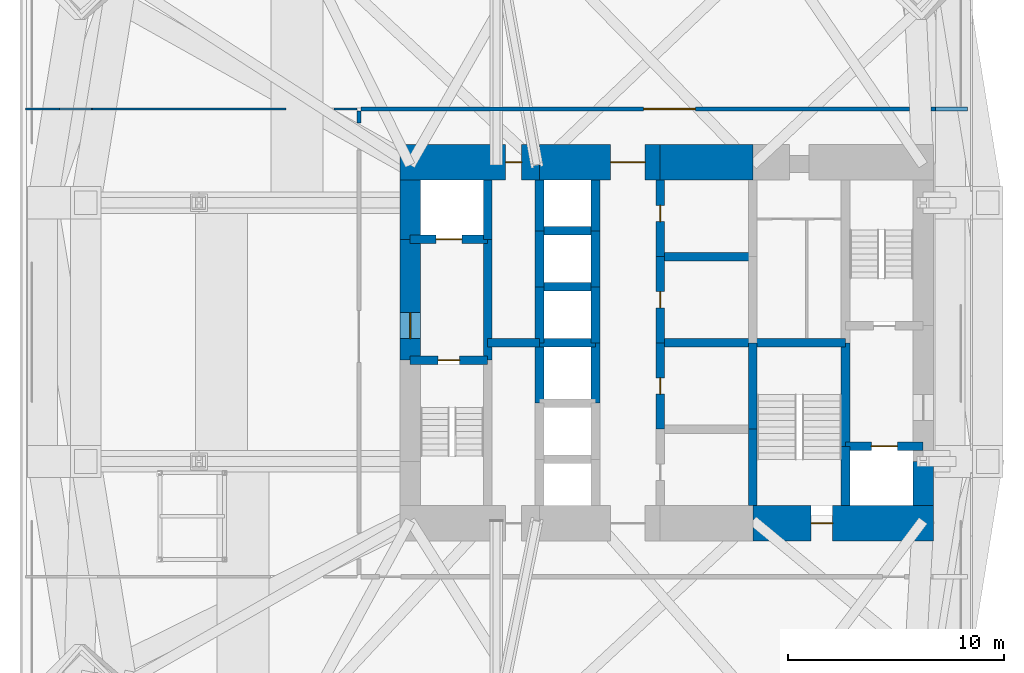
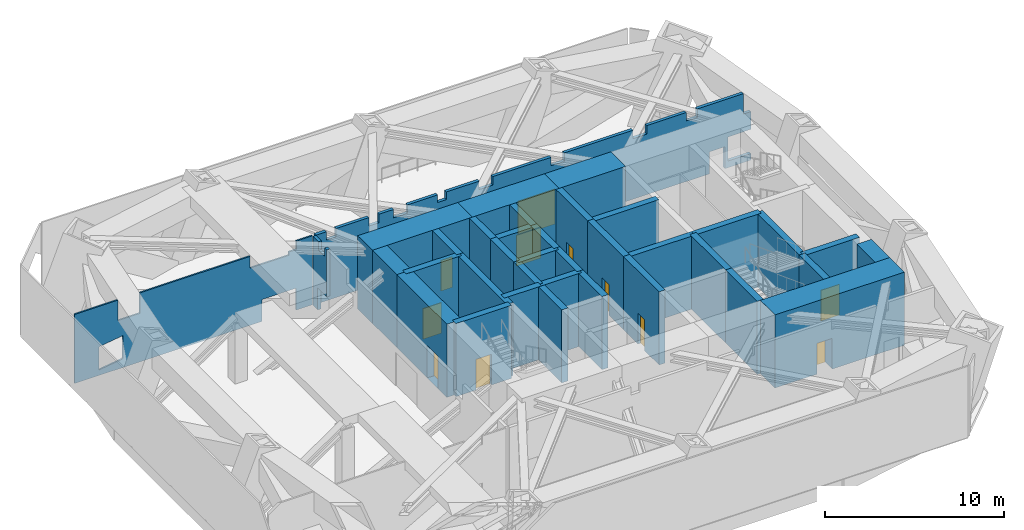
# One storey, part 5 of 8: 37 walls, 11 doors, 11 openings.
"""IFC4 building model written with IfcOpenShell, lengths in metres."""

from ifc_helpers import new_model, si_unit, direction, frame, frame_2d, origin, place, context, subcontext, project, spatial, polyline, rectangle, outline, extrude, material, layer, layer_set, constituent, constituent_set, type_object, element, fill, save


model = new_model("IFC4")

# Units and contexts
model_context = context("Model", 3, precision=1e-05, world=origin(), true_north=direction((0.0, 1.0)))
body_context = subcontext(model_context, "Body", "Model", "MODEL_VIEW")
ifc_project = project(units=[si_unit("LENGTHUNIT", "METRE"), si_unit("AREAUNIT", "SQUARE_METRE"), si_unit("VOLUMEUNIT", "CUBIC_METRE"), si_unit("PLANEANGLEUNIT", "RADIAN"), si_unit("MASSUNIT", "GRAM", prefix="KILO")], contexts=[model_context])

# Site, building, storey
site_placement = place(None, origin())
site = spatial("IfcSite", under=ifc_project, at=site_placement, CompositionType="ELEMENT")
building_placement = place(site_placement, origin())
building = spatial("IfcBuilding", under=site, at=building_placement, Name="Jalousie Tower", CompositionType="ELEMENT")
storey_placement = place(building_placement, frame((0.0, 0.0, 74.75)))
storey = spatial("IfcBuildingStorey", under=building, at=storey_placement, Name="L20", CompositionType="ELEMENT", Elevation=74.75)

# Wall, opening, door
ifc_material_1 = material(Name="Concrete f'c 120 MPa", Category="concrete")
ifc_layer_1 = layer(ifc_material_1, 1.64990234375)
ifc_layer_set_1 = layer_set([ifc_layer_1], Name="Concrete f'c 120 MPa")
wall_type_1 = type_object("IfcWallType", Name="CORE WALL 1650", PredefinedType="SHEAR", material=ifc_layer_set_1)
wall_1_placement = place(storey_placement, frame((35.89990234375, 10.125, 0.0), z_axis=(0.0, 0.0, 1.0), x_axis=(1.0, 0.0, 0.0)))
wall_1 = element("IfcWall", 1, at=wall_1_placement, inside=storey, type_object=wall_type_1, Name="Core wall SD L20", PredefinedType="SHEAR", context=body_context, shape_type="SweptSolid", body=[
    extrude(rectangle(XDim=8.375, YDim=1.64990234375, at=frame_2d((4.1875, 0.0))), origin(), (0.0, 0.0, 1.0), 5.0),
])
opening_1_placement = place(wall_1_placement, frame((2.699951171875, 0.0, 0.0)))
opening_1 = element("IfcOpeningElement", 2, at=opening_1_placement, cuts=wall_1, Name="Opening D10", PredefinedType="OPENING", context=body_context, shape_type="SweptSolid", body=[
    extrude(rectangle(XDim=1.0, YDim=2.10009765625, at=frame_2d((0.5, 1.050048828125))), frame((0.0, 0.8349609375, 0.0), z_axis=(0.0, -1.0, 0.0), x_axis=(1.0, 0.0, 0.0)), (0.0, 0.0, 1.0), 1.669921875),
])
ifc_material_2 = material(Name="Steel fire door", Category="steel")
door_type_1 = type_object("IfcDoorType", Name="STAIR DOOR 1000", OperationType="SINGLE_SWING_LEFT", PredefinedType="DOOR", material=ifc_material_2)
door_1_placement = place(opening_1_placement, origin())
door_1 = element("IfcDoor", 3, at=door_1_placement, inside=storey, type_object=door_type_1, Name="Exit stair C door", OperationType="SINGLE_SWING_RIGHT", OverallHeight=2.10009765625, OverallWidth=1.0, PredefinedType="DOOR", context=body_context, shape_type="SweptSolid", body=[
    extrude(rectangle(XDim=1.0, YDim=2.10009765625, at=frame_2d((0.5, 1.050048828125))), frame((0.0, 0.02490234375, 0.0), z_axis=(0.0, -1.0, 0.0), x_axis=(1.0, 0.0, 0.0)), (0.0, 0.0, 1.0), 0.050048828125),
])
fill(opening_1, door_1)

# Wall
wall_2_placement = place(storey_placement, frame((35.89990234375, 26.875, 0.0), z_axis=(0.0, 0.0, 1.0), x_axis=(-1.0, 0.0, 0.0)))
element("IfcWall", 4, at=wall_2_placement, inside=storey, type_object=wall_type_1, Name="Core wall NB L20", PredefinedType="SHEAR", context=body_context, shape_type="SweptSolid", body=[
    extrude(rectangle(XDim=4.2998046875, YDim=1.64990234375, at=frame_2d((2.14990234375, 0.0))), origin(), (0.0, 0.0, 1.0), 5.0),
])

# Wall, opening, door
wall_3_placement = place(storey_placement, frame((31.60009765625, 26.875, 0.0), z_axis=(0.0, 0.0, 1.0), x_axis=(-1.0, 0.0, 0.0)))
wall_3 = element("IfcWall", 5, at=wall_3_placement, inside=storey, type_object=wall_type_1, Name="Core wall NC L20", PredefinedType="SHEAR", context=body_context, shape_type="SweptSolid", body=[
    extrude(rectangle(XDim=5.60009765625, YDim=1.64990234375, at=frame_2d((2.800048828125, 0.0))), origin(), (0.0, 0.0, 1.0), 5.0),
])
opening_2_placement = place(wall_3_placement, frame((0.699951171875, 0.0, 0.0)))
opening_2 = element("IfcOpeningElement", 6, at=opening_2_placement, cuts=wall_3, Name="Opening D15", PredefinedType="OPENING", context=body_context, shape_type="SweptSolid", body=[
    extrude(rectangle(XDim=1.60009765625, YDim=2.10009765625, at=frame_2d((0.800048828125, 1.050048828125))), frame((0.0, 0.8349609375, 0.0), z_axis=(0.0, -1.0, 0.0), x_axis=(1.0, 0.0, 0.0)), (0.0, 0.0, 1.0), 1.669921875),
])
ifc_material_3 = material(Name="Steel fire door", Category="steel")
door_type_2 = type_object("IfcDoorType", Name="LIFT LOBBY DOOR 1600", OperationType="DOUBLE_DOOR_SINGLE_SWING", PredefinedType="DOOR", material=ifc_material_3)
door_2_placement = place(opening_2_placement, origin())
door_2 = element("IfcDoor", 7, at=door_2_placement, inside=storey, type_object=door_type_2, Name="Lift lobby north door", OperationType="DOUBLE_DOOR_SINGLE_SWING", OverallHeight=2.10009765625, OverallWidth=1.60009765625, PredefinedType="DOOR", context=body_context, shape_type="SweptSolid", body=[
    extrude(rectangle(XDim=1.60009765625, YDim=2.10009765625, at=frame_2d((0.800048828125, 1.050048828125))), frame((0.0, 0.02490234375, 0.0), z_axis=(0.0, -1.0, 0.0), x_axis=(1.0, 0.0, 0.0)), (0.0, 0.0, 1.0), 0.050048828125),
])
fill(opening_2, door_2)

wall_4_placement = place(storey_placement, frame((26.0, 26.875, 0.0), z_axis=(0.0, 0.0, 1.0), x_axis=(-1.0, 0.0, 0.0)))
wall_4 = element("IfcWall", 8, at=wall_4_placement, inside=storey, type_object=wall_type_1, Name="Core wall ND L20", PredefinedType="SHEAR", context=body_context, shape_type="SweptSolid", body=[
    extrude(rectangle(XDim=6.47509765625, YDim=1.64990234375, at=frame_2d((3.237548828125, 0.0))), origin(), (0.0, 0.0, 1.0), 5.0),
])
opening_3_placement = place(wall_4_placement, frame((0.824951171875, 0.0, 0.0)))
opening_3 = element("IfcOpeningElement", 9, at=opening_3_placement, cuts=wall_4, Name="Opening D16", PredefinedType="OPENING", context=body_context, shape_type="SweptSolid", body=[
    extrude(rectangle(XDim=0.75, YDim=2.10009765625, at=frame_2d((0.375, 1.050048828125))), frame((0.0, 0.8349609375, 0.0), z_axis=(0.0, -1.0, 0.0), x_axis=(1.0, 0.0, 0.0)), (0.0, 0.0, 1.0), 1.669921875),
])
ifc_material_4 = material(Name="Steel fire door", Category="steel")
door_type_3 = type_object("IfcDoorType", Name="RISER DOOR 750", OperationType="SINGLE_SWING_LEFT", PredefinedType="DOOR", material=ifc_material_4)
door_3_placement = place(opening_3_placement, origin())
door_3 = element("IfcDoor", 10, at=door_3_placement, inside=storey, type_object=door_type_3, Name="North riser door", OperationType="SINGLE_SWING_RIGHT", OverallHeight=2.10009765625, OverallWidth=0.75, PredefinedType="DOOR", context=body_context, shape_type="SweptSolid", body=[
    extrude(rectangle(XDim=0.75, YDim=2.10009765625, at=frame_2d((0.375, 1.050048828125))), frame((0.0, 0.02490234375, 0.0), z_axis=(0.0, -1.0, 0.0), x_axis=(1.0, 0.0, 0.0)), (0.0, 0.0, 1.0), 0.050048828125),
])
fill(opening_3, door_3)

# Walls
ifc_material_5 = material(Name="Concrete f'c 120 MPa", Category="concrete")
ifc_layer_2 = layer(ifc_material_5, 0.39990234375)
ifc_layer_set_2 = layer_set([ifc_layer_2], Name="Concrete f'c 120 MPa")
wall_type_2 = type_object("IfcWallType", Name="CORE WALL 400", PredefinedType="SHEAR", material=ifc_layer_set_2)
wall_5_placement = place(storey_placement, frame((23.60009765625, 17.699951171875, 0.0), z_axis=(0.0, 0.0, 1.0), x_axis=(0.0, 1.0, 0.0)))
element("IfcWall", 11, at=wall_5_placement, inside=storey, type_object=wall_type_2, Name="Core wall X23.6B L20", PredefinedType="SHEAR", context=body_context, shape_type="SweptSolid", body=[
    extrude(rectangle(XDim=5.60009765625, YDim=0.39990234375, at=frame_2d((2.800048828125, 0.0))), origin(), (0.0, 0.0, 1.0), 5.0),
])
wall_6_placement = place(storey_placement, frame((23.60009765625, 23.300048828125, 0.0), z_axis=(0.0, 0.0, 1.0), x_axis=(0.0, 1.0, 0.0)))
element("IfcWall", 12, at=wall_6_placement, inside=storey, type_object=wall_type_2, Name="Core wall X23.6C L20", PredefinedType="SHEAR", context=body_context, shape_type="SweptSolid", body=[
    extrude(rectangle(XDim=2.75, YDim=0.39990234375, at=frame_2d((1.375, 0.0))), origin(), (0.0, 0.0, 1.0), 5.0),
])
wall_7_placement = place(storey_placement, frame((26.0, 15.699951171875, 0.0), z_axis=(0.0, 0.0, 1.0), x_axis=(0.0, 1.0, 0.0)))
element("IfcWall", 13, at=wall_7_placement, inside=storey, type_object=wall_type_2, Name="Core wall X26C L20", PredefinedType="SHEAR", context=body_context, shape_type="SweptSolid", body=[
    extrude(rectangle(XDim=2.800048828125, YDim=0.39990234375, at=frame_2d((1.39990234375, 0.0))), origin(), (0.0, 0.0, 1.0), 5.0),
])
wall_8_placement = place(storey_placement, frame((26.0, 18.5, 0.0), z_axis=(0.0, 0.0, 1.0), x_axis=(0.0, 1.0, 0.0)))
element("IfcWall", 14, at=wall_8_placement, inside=storey, type_object=wall_type_2, Name="Core wall X26D L20", PredefinedType="SHEAR", context=body_context, shape_type="SweptSolid", body=[
    extrude(rectangle(XDim=2.60009765625, YDim=0.39990234375, at=frame_2d((1.300048828125, 0.0))), origin(), (0.0, 0.0, 1.0), 5.0),
])
wall_9_placement = place(storey_placement, frame((26.0, 21.10009765625, 0.0), z_axis=(0.0, 0.0, 1.0), x_axis=(0.0, 1.0, 0.0)))
element("IfcWall", 15, at=wall_9_placement, inside=storey, type_object=wall_type_2, Name="Core wall X26E L20", PredefinedType="SHEAR", context=body_context, shape_type="SweptSolid", body=[
    extrude(rectangle(XDim=2.599853515625, YDim=0.39990234375, at=frame_2d((1.2998046875, 0.0))), origin(), (0.0, 0.0, 1.0), 5.0),
])
wall_10_placement = place(storey_placement, frame((26.0, 23.699951171875, 0.0), z_axis=(0.0, 0.0, 1.0), x_axis=(0.0, 1.0, 0.0)))
element("IfcWall", 16, at=wall_10_placement, inside=storey, type_object=wall_type_2, Name="Core wall X26F L20", PredefinedType="SHEAR", context=body_context, shape_type="SweptSolid", body=[
    extrude(rectangle(XDim=2.35009765625, YDim=0.39990234375, at=frame_2d((1.175048828125, 0.0))), origin(), (0.0, 0.0, 1.0), 5.0),
])
wall_11_placement = place(storey_placement, frame((28.60009765625, 15.699951171875, 0.0), z_axis=(0.0, 0.0, 1.0), x_axis=(0.0, 1.0, 0.0)))
element("IfcWall", 17, at=wall_11_placement, inside=storey, type_object=wall_type_2, Name="Core wall X28.6C L20", PredefinedType="SHEAR", context=body_context, shape_type="SweptSolid", body=[
    extrude(rectangle(XDim=2.800048828125, YDim=0.39990234375, at=frame_2d((1.39990234375, 0.0))), origin(), (0.0, 0.0, 1.0), 5.0),
])
wall_12_placement = place(storey_placement, frame((28.60009765625, 18.5, 0.0), z_axis=(0.0, 0.0, 1.0), x_axis=(0.0, 1.0, 0.0)))
element("IfcWall", 18, at=wall_12_placement, inside=storey, type_object=wall_type_2, Name="Core wall X28.6D L20", PredefinedType="SHEAR", context=body_context, shape_type="SweptSolid", body=[
    extrude(rectangle(XDim=2.60009765625, YDim=0.39990234375, at=frame_2d((1.300048828125, 0.0))), origin(), (0.0, 0.0, 1.0), 5.0),
])
wall_13_placement = place(storey_placement, frame((28.60009765625, 21.10009765625, 0.0), z_axis=(0.0, 0.0, 1.0), x_axis=(0.0, 1.0, 0.0)))
element("IfcWall", 19, at=wall_13_placement, inside=storey, type_object=wall_type_2, Name="Core wall X28.6E L20", PredefinedType="SHEAR", context=body_context, shape_type="SweptSolid", body=[
    extrude(rectangle(XDim=2.599853515625, YDim=0.39990234375, at=frame_2d((1.2998046875, 0.0))), origin(), (0.0, 0.0, 1.0), 5.0),
])
wall_14_placement = place(storey_placement, frame((28.60009765625, 23.699951171875, 0.0), z_axis=(0.0, 0.0, 1.0), x_axis=(0.0, 1.0, 0.0)))
element("IfcWall", 20, at=wall_14_placement, inside=storey, type_object=wall_type_2, Name="Core wall X28.6F L20", PredefinedType="SHEAR", context=body_context, shape_type="SweptSolid", body=[
    extrude(rectangle(XDim=2.35009765625, YDim=0.39990234375, at=frame_2d((1.175048828125, 0.0))), origin(), (0.0, 0.0, 1.0), 5.0),
])

# Wall, opening, door
wall_15_placement = place(storey_placement, frame((31.60009765625, 14.5, 0.0), z_axis=(0.0, 0.0, 1.0), x_axis=(0.0, 1.0, 0.0)))
wall_15 = element("IfcWall", 21, at=wall_15_placement, inside=storey, type_object=wall_type_2, Name="Core wall X31.6B L20", PredefinedType="SHEAR", context=body_context, shape_type="SweptSolid", body=[
    extrude(rectangle(XDim=4.0, YDim=0.39990234375, at=frame_2d((2.0, 0.0))), origin(), (0.0, 0.0, 1.0), 5.0),
])
opening_4_placement = place(wall_15_placement, frame((1.625, 0.0, 0.0)))
opening_4 = element("IfcOpeningElement", 22, at=opening_4_placement, cuts=wall_15, Name="Opening D16", PredefinedType="OPENING", context=body_context, shape_type="SweptSolid", body=[
    extrude(rectangle(XDim=0.75, YDim=2.10009765625, at=frame_2d((0.375, 1.050048828125))), frame((0.0, 0.2099609375, 0.0), z_axis=(0.0, -1.0, 0.0), x_axis=(1.0, 0.0, 0.0)), (0.0, 0.0, 1.0), 0.419921875),
])
door_4_placement = place(opening_4_placement, frame((0.75, 0.0, 0.0), z_axis=(0.0, 0.0, 1.0), x_axis=(-1.0, 0.0, 0.0)))
door_4 = element("IfcDoor", 23, at=door_4_placement, inside=storey, type_object=door_type_3, Name="Electrical Room door", OperationType="SINGLE_SWING_LEFT", OverallHeight=2.10009765625, OverallWidth=0.75, PredefinedType="DOOR", context=body_context, shape_type="SweptSolid", body=[
    extrude(rectangle(XDim=0.75, YDim=2.10009765625, at=frame_2d((0.375, 1.050048828125))), frame((0.0, 0.02490234375, 0.0), z_axis=(0.0, -1.0, 0.0), x_axis=(1.0, 0.0, 0.0)), (0.0, 0.0, 1.0), 0.050048828125),
])
fill(opening_4, door_4)

wall_16_placement = place(storey_placement, frame((31.60009765625, 18.5, 0.0), z_axis=(0.0, 0.0, 1.0), x_axis=(0.0, 1.0, 0.0)))
wall_16 = element("IfcWall", 24, at=wall_16_placement, inside=storey, type_object=wall_type_2, Name="Core wall X31.6C L20", PredefinedType="SHEAR", context=body_context, shape_type="SweptSolid", body=[
    extrude(rectangle(XDim=4.0, YDim=0.39990234375, at=frame_2d((2.0, 0.0))), origin(), (0.0, 0.0, 1.0), 5.0),
])
opening_5_placement = place(wall_16_placement, frame((1.625, 0.0, 0.0)))
opening_5 = element("IfcOpeningElement", 25, at=opening_5_placement, cuts=wall_16, Name="Opening D16", PredefinedType="OPENING", context=body_context, shape_type="SweptSolid", body=[
    extrude(rectangle(XDim=0.75, YDim=2.10009765625, at=frame_2d((0.375, 1.050048828125))), frame((0.0, 0.2099609375, 0.0), z_axis=(0.0, -1.0, 0.0), x_axis=(1.0, 0.0, 0.0)), (0.0, 0.0, 1.0), 0.419921875),
])
door_5_placement = place(opening_5_placement, frame((0.75, 0.0, 0.0), z_axis=(0.0, 0.0, 1.0), x_axis=(-1.0, 0.0, 0.0)))
door_5 = element("IfcDoor", 26, at=door_5_placement, inside=storey, type_object=door_type_3, Name="Telecom Room door", OperationType="SINGLE_SWING_LEFT", OverallHeight=2.10009765625, OverallWidth=0.75, PredefinedType="DOOR", context=body_context, shape_type="SweptSolid", body=[
    extrude(rectangle(XDim=0.75, YDim=2.10009765625, at=frame_2d((0.375, 1.050048828125))), frame((0.0, 0.02490234375, 0.0), z_axis=(0.0, -1.0, 0.0), x_axis=(1.0, 0.0, 0.0)), (0.0, 0.0, 1.0), 0.050048828125),
])
fill(opening_5, door_5)

wall_17_placement = place(storey_placement, frame((31.60009765625, 22.5, 0.0), z_axis=(0.0, 0.0, 1.0), x_axis=(0.0, 1.0, 0.0)))
wall_17 = element("IfcWall", 27, at=wall_17_placement, inside=storey, type_object=wall_type_2, Name="Core wall X31.6D L20", PredefinedType="SHEAR", context=body_context, shape_type="SweptSolid", body=[
    extrude(rectangle(XDim=3.550048828125, YDim=0.39990234375, at=frame_2d((1.77490234375, 0.0))), origin(), (0.0, 0.0, 1.0), 5.0),
])
opening_6_placement = place(wall_17_placement, frame((1.625, 0.0, 0.0)))
opening_6 = element("IfcOpeningElement", 28, at=opening_6_placement, cuts=wall_17, Name="Opening D16", PredefinedType="OPENING", context=body_context, shape_type="SweptSolid", body=[
    extrude(rectangle(XDim=0.75, YDim=2.10009765625, at=frame_2d((0.375, 1.050048828125))), frame((0.0, 0.2099609375, 0.0), z_axis=(0.0, -1.0, 0.0), x_axis=(1.0, 0.0, 0.0)), (0.0, 0.0, 1.0), 0.419921875),
])
door_6_placement = place(opening_6_placement, frame((0.75, 0.0, 0.0), z_axis=(0.0, 0.0, 1.0), x_axis=(-1.0, 0.0, 0.0)))
door_6 = element("IfcDoor", 29, at=door_6_placement, inside=storey, type_object=door_type_3, Name="Water Services Room door", OperationType="SINGLE_SWING_LEFT", OverallHeight=2.10009765625, OverallWidth=0.75, PredefinedType="DOOR", context=body_context, shape_type="SweptSolid", body=[
    extrude(rectangle(XDim=0.75, YDim=2.10009765625, at=frame_2d((0.375, 1.050048828125))), frame((0.0, 0.02490234375, 0.0), z_axis=(0.0, -1.0, 0.0), x_axis=(1.0, 0.0, 0.0)), (0.0, 0.0, 1.0), 0.050048828125),
])
fill(opening_6, door_6)

# Walls
wall_18_placement = place(storey_placement, frame((35.89990234375, 10.949951171875, 0.0), z_axis=(0.0, 0.0, 1.0), x_axis=(0.0, 1.0, 0.0)))
element("IfcWall", 30, at=wall_18_placement, inside=storey, type_object=wall_type_2, Name="Core wall X35.9A L20", PredefinedType="SHEAR", context=body_context, shape_type="SweptSolid", body=[
    extrude(rectangle(XDim=3.550048828125, YDim=0.39990234375, at=frame_2d((1.77490234375, 0.0))), origin(), (0.0, 0.0, 1.0), 5.0),
])
wall_19_placement = place(storey_placement, frame((35.89990234375, 14.5, 0.0), z_axis=(0.0, 0.0, 1.0), x_axis=(0.0, 1.0, 0.0)))
element("IfcWall", 31, at=wall_19_placement, inside=storey, type_object=wall_type_2, Name="Core wall X35.9B L20", PredefinedType="SHEAR", context=body_context, shape_type="SweptSolid", body=[
    extrude(rectangle(XDim=4.0, YDim=0.39990234375, at=frame_2d((2.0, 0.0))), origin(), (0.0, 0.0, 1.0), 5.0),
])
wall_20_placement = place(storey_placement, frame((40.199951171875, 10.949951171875, 0.0), z_axis=(0.0, 0.0, 1.0), x_axis=(0.0, 1.0, 0.0)))
element("IfcWall", 32, at=wall_20_placement, inside=storey, type_object=wall_type_2, Name="Core wall X40.2A L20", PredefinedType="SHEAR", context=body_context, shape_type="SweptSolid", body=[
    extrude(rectangle(XDim=2.75, YDim=0.39990234375, at=frame_2d((1.375, 0.0))), origin(), (0.0, 0.0, 1.0), 5.0),
])
wall_21_placement = place(storey_placement, frame((40.199951171875, 13.699951171875, 0.0), z_axis=(0.0, 0.0, 1.0), x_axis=(0.0, 1.0, 0.0)))
element("IfcWall", 33, at=wall_21_placement, inside=storey, type_object=wall_type_2, Name="Core wall X40.2B L20", PredefinedType="SHEAR", context=body_context, shape_type="SweptSolid", body=[
    extrude(rectangle(XDim=4.800048828125, YDim=0.39990234375, at=frame_2d((2.39990234375, 0.0))), origin(), (0.0, 0.0, 1.0), 5.0),
])

# Wall, opening, door
wall_22_placement = place(storey_placement, frame((20.0, 17.699951171875, 0.0), z_axis=(0.0, 0.0, 1.0), x_axis=(1.0, 0.0, 0.0)))
wall_22 = element("IfcWall", 34, at=wall_22_placement, inside=storey, type_object=wall_type_2, Name="Core wall Y20-17.7 L20", PredefinedType="SHEAR", context=body_context, shape_type="SweptSolid", body=[
    extrude(rectangle(XDim=3.60009765625, YDim=0.39990234375, at=frame_2d((1.800048828125, 0.0))), origin(), (0.0, 0.0, 1.0), 5.0),
])
opening_7_placement = place(wall_22_placement, frame((1.300048828125, 0.0, 0.0)))
opening_7 = element("IfcOpeningElement", 35, at=opening_7_placement, cuts=wall_22, Name="Opening D10", PredefinedType="OPENING", context=body_context, shape_type="SweptSolid", body=[
    extrude(rectangle(XDim=1.0, YDim=2.10009765625, at=frame_2d((0.5, 1.050048828125))), frame((0.0, 0.2099609375, 0.0), z_axis=(0.0, -1.0, 0.0), x_axis=(1.0, 0.0, 0.0)), (0.0, 0.0, 1.0), 0.419921875),
])
door_7_placement = place(opening_7_placement, frame((1.0, 0.0, 0.0), z_axis=(0.0, 0.0, 1.0), x_axis=(-1.0, 0.0, 0.0)))
door_7 = element("IfcDoor", 36, at=door_7_placement, inside=storey, type_object=door_type_1, Name="Exit stair A door", OperationType="SINGLE_SWING_RIGHT", OverallHeight=2.10009765625, OverallWidth=1.0, PredefinedType="DOOR", context=body_context, shape_type="SweptSolid", body=[
    extrude(rectangle(XDim=1.0, YDim=2.10009765625, at=frame_2d((0.5, 1.050048828125))), frame((0.0, 0.02490234375, 0.0), z_axis=(0.0, -1.0, 0.0), x_axis=(1.0, 0.0, 0.0)), (0.0, 0.0, 1.0), 0.050048828125),
])
fill(opening_7, door_7)

wall_23_placement = place(storey_placement, frame((20.0, 23.300048828125, 0.0), z_axis=(0.0, 0.0, 1.0), x_axis=(1.0, 0.0, 0.0)))
wall_23 = element("IfcWall", 37, at=wall_23_placement, inside=storey, type_object=wall_type_2, Name="Core wall Y20-23.3 L20", PredefinedType="SHEAR", context=body_context, shape_type="SweptSolid", body=[
    extrude(rectangle(XDim=3.60009765625, YDim=0.39990234375, at=frame_2d((1.800048828125, 0.0))), origin(), (0.0, 0.0, 1.0), 5.0),
])
opening_8_placement = place(wall_23_placement, frame((1.199951171875, 0.0, 0.0)))
opening_8 = element("IfcOpeningElement", 38, at=opening_8_placement, cuts=wall_23, Name="Opening LD2", PredefinedType="OPENING", context=body_context, shape_type="SweptSolid", body=[
    extrude(rectangle(XDim=1.199951171875, YDim=2.10009765625, at=frame_2d((0.60009765625, 1.050048828125))), frame((0.0, 0.2099609375, 0.0), z_axis=(0.0, -1.0, 0.0), x_axis=(1.0, 0.0, 0.0)), (0.0, 0.0, 1.0), 0.419921875),
])
ifc_material_6 = material(Name="Steel lift landing door", Category="steel")
door_type_4 = type_object("IfcDoorType", Name="LIFT LANDING DOOR 1200", OperationType="SLIDING_TO_LEFT", PredefinedType="DOOR", material=ifc_material_6)
door_8_placement = place(opening_8_placement, origin())
door_8 = element("IfcDoor", 39, at=door_8_placement, inside=storey, type_object=door_type_4, Name="Lift F1 landing door", OperationType="SLIDING_TO_LEFT", OverallHeight=2.10009765625, OverallWidth=1.199951171875, PredefinedType="DOOR", context=body_context, shape_type="SweptSolid", body=[
    extrude(rectangle(XDim=1.199951171875, YDim=2.10009765625, at=frame_2d((0.60009765625, 1.050048828125))), frame((0.0, 0.02490234375, 0.0), z_axis=(0.0, -1.0, 0.0), x_axis=(1.0, 0.0, 0.0)), (0.0, 0.0, 1.0), 0.050048828125),
])
fill(opening_8, door_8)

# Walls
wall_24_placement = place(storey_placement, frame((23.60009765625, 18.5, 0.0), z_axis=(0.0, 0.0, 1.0), x_axis=(1.0, 0.0, 0.0)))
element("IfcWall", 40, at=wall_24_placement, inside=storey, type_object=wall_type_2, Name="Core wall Y23.6-18.5 L20", PredefinedType="SHEAR", context=body_context, shape_type="SweptSolid", body=[
    extrude(rectangle(XDim=2.39990234375, YDim=0.39990234375, at=frame_2d((1.199951171875, 0.0))), origin(), (0.0, 0.0, 1.0), 5.0),
])
for number, where, z_axis, x_axis, name in (
    (41, (26.0, 18.5, 0.0), (0.0, 0.0, 1.0), (1.0, 0.0, 0.0), "Core wall Y26-18.5 L20"),
    (42, (26.0, 21.10009765625, 0.0), (0.0, 0.0, 1.0), (1.0, 0.0, 0.0), "Core wall Y26-21.1 L20"),
    (43, (26.0, 23.699951171875, 0.0), (0.0, 0.0, 1.0), (1.0, 0.0, 0.0), "Core wall Y26-23.7 L20"),
):
    element("IfcWall", number, at=place(storey_placement, frame(where, z_axis=z_axis, x_axis=x_axis)), inside=storey, type_object=wall_type_2, Name=name, PredefinedType="SHEAR", context=body_context, shape_type="SweptSolid", body=[
        extrude(rectangle(XDim=2.60009765625, YDim=0.39990234375, at=frame_2d((1.300048828125, 0.0))), origin(), (0.0, 0.0, 1.0), 5.0),
    ])
for number, where, z_axis, x_axis, name in (
    (44, (31.60009765625, 18.5, 0.0), (0.0, 0.0, 1.0), (1.0, 0.0, 0.0), "Core wall Y31.6-18.5 L20"),
    (45, (31.60009765625, 22.5, 0.0), (0.0, 0.0, 1.0), (1.0, 0.0, 0.0), "Core wall Y31.6-22.5 L20"),
):
    element("IfcWall", number, at=place(storey_placement, frame(where, z_axis=z_axis, x_axis=x_axis)), inside=storey, type_object=wall_type_2, Name=name, PredefinedType="SHEAR", context=body_context, shape_type="SweptSolid", body=[
        extrude(rectangle(XDim=4.2998046875, YDim=0.39990234375, at=frame_2d((2.14990234375, 0.0))), origin(), (0.0, 0.0, 1.0), 5.0),
    ])
wall_25_placement = place(storey_placement, frame((35.89990234375, 18.5, 0.0), z_axis=(0.0, 0.0, 1.0), x_axis=(1.0, 0.0, 0.0)))
element("IfcWall", 46, at=wall_25_placement, inside=storey, type_object=wall_type_2, Name="Core wall Y35.9-18.5 L20", PredefinedType="SHEAR", context=body_context, shape_type="SweptSolid", body=[
    extrude(rectangle(XDim=4.300048828125, YDim=0.39990234375, at=frame_2d((2.14990234375, 0.0))), origin(), (0.0, 0.0, 1.0), 5.0),
])

# Wall, opening, door
wall_26_placement = place(storey_placement, frame((40.199951171875, 13.699951171875, 0.0), z_axis=(0.0, 0.0, 1.0), x_axis=(1.0, 0.0, 0.0)))
wall_26 = element("IfcWall", 47, at=wall_26_placement, inside=storey, type_object=wall_type_2, Name="Core wall Y40.2-13.7 L20", PredefinedType="SHEAR", context=body_context, shape_type="SweptSolid", body=[
    extrude(rectangle(XDim=3.60009765625, YDim=0.39990234375, at=frame_2d((1.800048828125, 0.0))), origin(), (0.0, 0.0, 1.0), 5.0),
])
opening_9_placement = place(wall_26_placement, frame((1.199951171875, 0.0, 0.0)))
opening_9 = element("IfcOpeningElement", 48, at=opening_9_placement, cuts=wall_26, Name="Opening LD2", PredefinedType="OPENING", context=body_context, shape_type="SweptSolid", body=[
    extrude(rectangle(XDim=1.199951171875, YDim=2.10009765625, at=frame_2d((0.60009765625, 1.050048828125))), frame((0.0, 0.2099609375, 0.0), z_axis=(0.0, -1.0, 0.0), x_axis=(1.0, 0.0, 0.0)), (0.0, 0.0, 1.0), 0.419921875),
])
door_9_placement = place(opening_9_placement, origin())
door_9 = element("IfcDoor", 49, at=door_9_placement, inside=storey, type_object=door_type_4, Name="Lift F2 landing door", OperationType="SLIDING_TO_LEFT", OverallHeight=2.10009765625, OverallWidth=1.199951171875, PredefinedType="DOOR", context=body_context, shape_type="SweptSolid", body=[
    extrude(rectangle(XDim=1.199951171875, YDim=2.10009765625, at=frame_2d((0.60009765625, 1.050048828125))), frame((0.0, 0.02490234375, 0.0), z_axis=(0.0, -1.0, 0.0), x_axis=(1.0, 0.0, 0.0)), (0.0, 0.0, 1.0), 0.050048828125),
])
fill(opening_9, door_9)

# Wall
ifc_material_7 = material(Name="Concrete f'c 120 MPa", Category="concrete")
ifc_layer_3 = layer(ifc_material_7, 0.949951171875)
ifc_layer_set_3 = layer_set([ifc_layer_3], Name="Concrete f'c 120 MPa")
wall_type_3 = type_object("IfcWallType", Name="CORE WALL 950", PredefinedType="SHEAR", material=ifc_layer_set_3)
wall_27_placement = place(storey_placement, frame((20.0, 26.050048828125, 0.0), z_axis=(0.0, 0.0, 1.0), x_axis=(0.0, -1.0, 0.0)))
element("IfcWall", 50, at=wall_27_placement, inside=storey, type_object=wall_type_3, Name="Core wall WA L20", PredefinedType="SHEAR", context=body_context, shape_type="SweptSolid", body=[
    extrude(rectangle(XDim=2.75, YDim=0.949951171875, at=frame_2d((1.375, 0.0))), origin(), (0.0, 0.0, 1.0), 5.0),
])

# Wall, opening, door
wall_28_placement = place(storey_placement, frame((20.0, 23.300048828125, 0.0), z_axis=(0.0, 0.0, 1.0), x_axis=(0.0, -1.0, 0.0)))
wall_28 = element("IfcWall", 51, at=wall_28_placement, inside=storey, type_object=wall_type_3, Name="Core wall WB L20", PredefinedType="SHEAR", context=body_context, shape_type="SweptSolid", body=[
    extrude(rectangle(XDim=5.60009765625, YDim=0.949951171875, at=frame_2d((2.800048828125, 0.0))), origin(), (0.0, 0.0, 1.0), 5.0),
])
opening_10_placement = place(wall_28_placement, frame((3.39990234375, 0.0, 0.0)))
opening_10 = element("IfcOpeningElement", 52, at=opening_10_placement, cuts=wall_28, Name="Opening D11", PredefinedType="OPENING", context=body_context, shape_type="SweptSolid", body=[
    extrude(rectangle(XDim=1.199951171875, YDim=2.199951171875, at=frame_2d((0.60009765625, 1.10009765625))), frame((0.0, 0.48486328125, 0.0), z_axis=(0.0, -1.0, 0.0), x_axis=(1.0, 0.0, 0.0)), (0.0, 0.0, 1.0), 0.969970703125),
])
ifc_material_8 = material(Name="Steel fire door", Category="steel")
door_type_5 = type_object("IfcDoorType", Name="FIRE DOOR 1200", OperationType="SINGLE_SWING_LEFT", PredefinedType="DOOR", material=ifc_material_8)
door_10_placement = place(opening_10_placement, origin())
door_10 = element("IfcDoor", 53, at=door_10_placement, inside=storey, type_object=door_type_5, Name="Fire-fighting lobby A door", OperationType="SINGLE_SWING_RIGHT", OverallHeight=2.199951171875, OverallWidth=1.199951171875, PredefinedType="DOOR", context=body_context, shape_type="SweptSolid", body=[
    extrude(rectangle(XDim=1.199951171875, YDim=2.199951171875, at=frame_2d((0.60009765625, 1.10009765625))), frame((0.0, 0.02490234375, 0.0), z_axis=(0.0, -1.0, 0.0), x_axis=(1.0, 0.0, 0.0)), (0.0, 0.0, 1.0), 0.050048828125),
])
fill(opening_10, door_10)

# Wall
wall_29_placement = place(storey_placement, frame((43.800048828125, 10.949951171875, 0.0), z_axis=(0.0, 0.0, 1.0), x_axis=(0.0, 1.0, 0.0)))
element("IfcWall", 54, at=wall_29_placement, inside=storey, type_object=wall_type_3, Name="Core wall EA L20", PredefinedType="SHEAR", context=body_context, shape_type="SweptSolid", body=[
    extrude(rectangle(XDim=2.050048828125, YDim=0.949951171875, at=frame_2d((1.02490234375, 0.0))), origin(), (0.0, 0.0, 1.0), 5.0),
])

# Wall, opening, door
ifc_material_9 = material(Name="Concrete block ASTM C90", Category="concrete")
ifc_constituent_1 = constituent(ifc_material_9, Name="Body")
ifc_material_10 = material(Name="Render")
ifc_constituent_2 = constituent(ifc_material_10, Name="Finish")
ifc_constituent_set_1 = constituent_set(constituents=[ifc_constituent_1, ifc_constituent_2])
wall_type_4 = type_object("IfcWallType", Name="CORRIDOR WALL 200", PredefinedType="PARTITIONING", material=ifc_constituent_set_1)
wall_30_placement = place(storey_placement, frame((17.72509765625, 29.35009765625, 0.0), z_axis=(0.0, 0.0, 1.0), x_axis=(1.0, 0.0, 0.0)))
wall_30 = element("IfcWall", 55, at=wall_30_placement, inside=storey, type_object=wall_type_4, Name="Corridor Wall 200 L20", PredefinedType="PARTITIONING", context=body_context, shape_type="SweptSolid", body=[
    extrude(outline(polyline([(26.450439453125, 0.0), (28.125, 0.0), (28.125, 0.453369140625), (26.64306640625, 0.453369140625), (26.64306640625, 2.001708984375), (26.64453125, 2.102783203125), (28.064453125, 2.10693359375), (28.125, 2.10693359375), (28.125, 3.320068359375), (27.644287109375, 3.320068359375), (27.644287109375, 4.719970703125), (24.664306640625, 4.719970703125), (24.664306640625, 4.140869140625), (23.9580078125, 4.140869140625), (23.9580078125, 4.719970703125), (21.40869140625, 4.719970703125), (21.40869140625, 4.140869140625), (20.503173828125, 4.140869140625), (20.503173828125, 4.719970703125), (16.0712890625, 4.719970703125), (16.0712890625, 4.140869140625), (15.217529296875, 4.140869140625), (15.217529296875, 4.719970703125), (11.451904296875, 4.719970703125), (11.451904296875, 4.140869140625), (10.556884765625, 4.140869140625), (10.556884765625, 4.719970703125), (8.439453125, 4.719970703125), (8.439453125, 4.194091796875), (7.860595703125, 4.194091796875), (7.860595703125, 4.719970703125), (5.9365234375, 4.719970703125), (5.9365234375, 4.140869140625), (5.028564453125, 4.140869140625), (5.028564453125, 4.719970703125), (4.0869140625, 4.719970703125), (4.0869140625, 4.140869140625), (3.428955078125, 4.140869140625), (3.428955078125, 4.719970703125), (1.309326171875, 4.719970703125), (1.309326171875, 4.140869140625), (0.684814453125, 4.140869140625), (0.684814453125, 4.719970703125), (0.0, 4.719970703125), (0.0, 0.0), (25.439208984375, 0.0), (25.439208984375, 1.5), (26.450439453125, 1.5), (26.450439453125, 0.0)]), holes=[polyline([(7.359375, 3.3486328125), (7.398681640625, 3.453369140625), (7.994140625, 3.50439453125), (7.994140625, 2.98779296875), (7.954833984375, 2.883056640625), (7.359375, 2.83203125), (7.359375, 3.3486328125)])]), frame((0.0, 0.10009765625, 0.0), z_axis=(0.0, -1.0, 0.0), x_axis=(1.0, 0.0, 0.0)), (0.0, 0.0, 1.0), 0.199951171875),
])
opening_11_placement = place(wall_30_placement, frame((13.112548828125, 0.0, 0.0)))
opening_11 = element("IfcOpeningElement", 56, at=opening_11_placement, cuts=wall_30, Name="Opening D9", PredefinedType="OPENING", context=body_context, shape_type="SweptSolid", body=[
    extrude(rectangle(XDim=2.39990234375, YDim=2.39990234375, at=frame_2d((1.199951171875, 1.199951171875))), frame((0.0, 0.10986328125, 0.0), z_axis=(0.0, -1.0, 0.0), x_axis=(1.0, 0.0, 0.0)), (0.0, 0.0, 1.0), 0.219970703125),
])
ifc_material_11 = material(Name="Steel fire door", Category="steel")
door_type_6 = type_object("IfcDoorType", Name="PLANT DOOR 2400", OperationType="DOUBLE_DOOR_SINGLE_SWING", PredefinedType="DOOR", material=ifc_material_11)
door_11_placement = place(opening_11_placement, origin())
door_11 = element("IfcDoor", 57, at=door_11_placement, inside=storey, type_object=door_type_6, Name="Mechanical plant room door", OperationType="DOUBLE_DOOR_SINGLE_SWING", OverallHeight=2.39990234375, OverallWidth=2.39990234375, PredefinedType="DOOR", context=body_context, shape_type="SweptSolid", body=[
    extrude(rectangle(XDim=2.39990234375, YDim=2.39990234375, at=frame_2d((1.199951171875, 1.199951171875))), frame((0.0, 0.02490234375, 0.0), z_axis=(0.0, -1.0, 0.0), x_axis=(1.0, 0.0, 0.0)), (0.0, 0.0, 1.0), 0.050048828125),
])
fill(opening_11, door_11)

# Walls
wall_31_placement = place(storey_placement, frame((17.625, 27.699951171875, 0.0), z_axis=(0.0, 0.0, 1.0), x_axis=(0.0, 1.0, 0.0)))
element("IfcWall", 58, at=wall_31_placement, inside=storey, type_object=wall_type_4, Name="Corridor Wall 200 L20", PredefinedType="PARTITIONING", context=body_context, shape_type="SweptSolid", body=[
    extrude(outline(polyline([(1.550048828125, 0.0), (1.550048828125, 4.719970703125), (0.926513671875, 4.719970703125), (0.926513671875, 4.140869140625), (0.235595703125, 4.140869140625), (0.235595703125, 4.719970703125), (0.0, 4.719970703125), (0.0, 1.5), (1.01123046875, 1.5), (1.01123046875, 0.0), (1.550048828125, 0.0)])), frame((0.0, 0.10009765625, 0.0), z_axis=(0.0, -1.0, 0.0), x_axis=(1.0, 0.0, 0.0)), (0.0, 0.0, 1.0), 0.199951171875),
])
ifc_material_12 = material(Name="Gypsum board", Category="gypsum")
ifc_constituent_3 = constituent(ifc_material_12, Name="Body")
ifc_material_13 = material(Name="Light-gauge steel studs ASTM A653 SS Grade 33", Category="steel")
ifc_constituent_4 = constituent(ifc_material_13, Name="Framing")
ifc_constituent_set_2 = constituent_set(constituents=[ifc_constituent_3, ifc_constituent_4])
wall_type_5 = type_object("IfcWallType", Name="PARTITION 100", PredefinedType="PARTITIONING", material=ifc_constituent_set_2)
wall_32_placement = place(storey_placement, frame((2.14990234375, 29.35009765625, 0.0), z_axis=(0.0, 0.0, 1.0), x_axis=(1.0, 0.0, 0.0)))
element("IfcWall", 59, at=wall_32_placement, inside=storey, type_object=wall_type_5, Name="Partition 100 L20", PredefinedType="PARTITIONING", context=body_context, shape_type="SweptSolid", body=[
    extrude(outline(polyline([(2.7880859375, 4.719970703125), (0.0, 4.719970703125), (0.0, 0.0), (12.102294921875, 0.0), (12.102294921875, 1.5), (14.3251953125, 1.5), (14.3251953125, 0.0), (15.375, 0.0), (15.375, 4.719970703125), (14.33056640625, 4.719970703125), (14.33056640625, 4.140869140625), (13.860107421875, 4.140869140625), (13.860107421875, 3.919921875), (11.340087890625, 3.919921875), (11.340087890625, 4.719970703125), (4.22265625, 4.719970703125), (4.22265625, 3.320068359375), (2.7880859375, 3.320068359375), (2.7880859375, 4.719970703125)]), holes=[polyline([(1.573974609375, 0.377685546875), (1.573974609375, 1.916015625), (1.614013671875, 1.96728515625), (3.114990234375, 2.182861328125), (3.114990234375, 0.64453125), (3.074951171875, 0.593017578125), (1.573974609375, 0.377685546875)])]), frame((0.0, 0.050048828125, 0.0), z_axis=(0.0, -1.0, 0.0), x_axis=(1.0, 0.0, 0.0)), (0.0, 0.0, 1.0), 0.10009765625),
])

save(model, "model.ifc")
